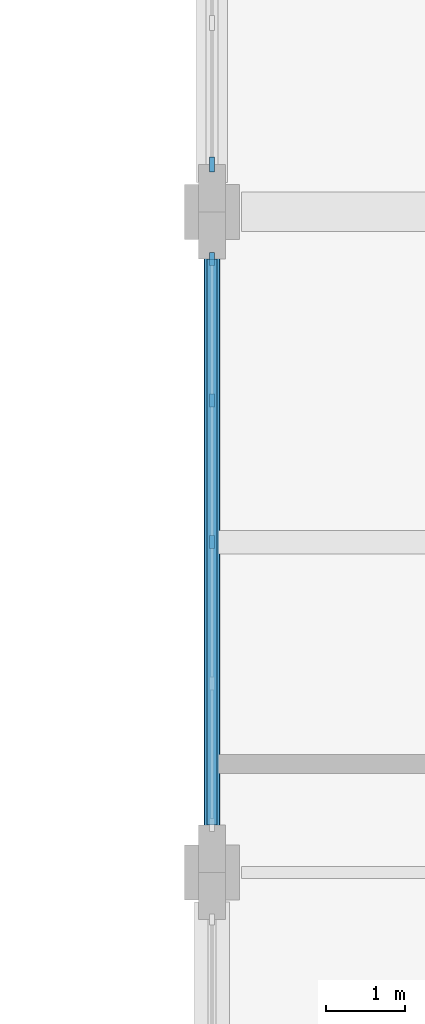
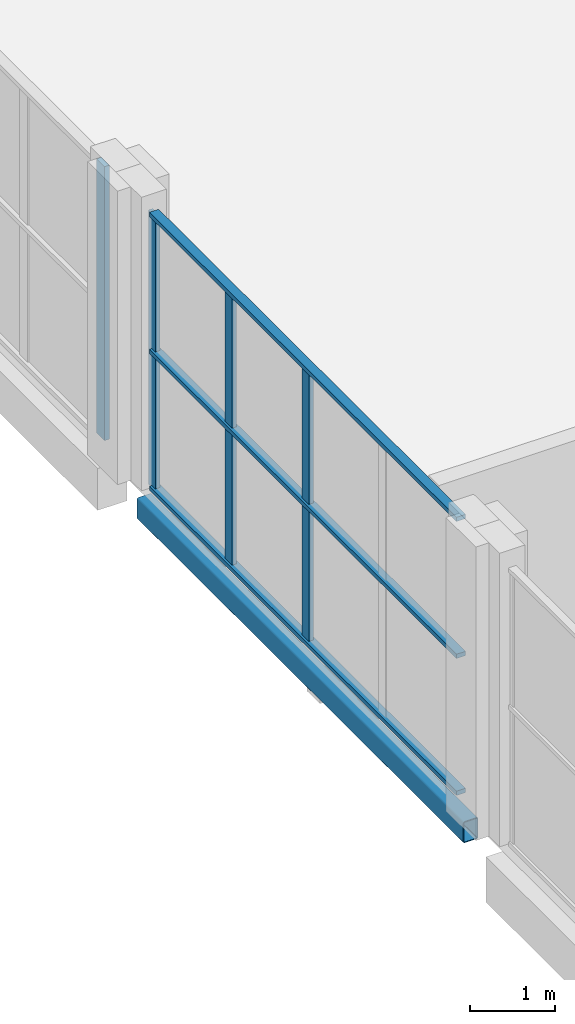
# One storey, part 26 of 59: 7 members, 1 beam, 2 elements without a shape of their own.
"""IFC4 building model written with IfcOpenShell, lengths in metres."""

from ifc_helpers import new_model, si_unit, derived_unit, direction, frame, origin, origin_2d, place, context, subcontext, project, spatial, rectangle, hollow_rectangle, extrude, material, material_profile, profile_set, type_object, element, aggregate, save


model = new_model("IFC4")

# Units and contexts
model_context = context("Model", 3, precision=1e-05, world=origin(), true_north=direction((0.0, 1.0)))
body_context = subcontext(model_context, "Body", "Model", "MODEL_VIEW")
ifc_project = project(units=[si_unit("LENGTHUNIT", "METRE"), si_unit("AREAUNIT", "SQUARE_METRE"), si_unit("VOLUMEUNIT", "CUBIC_METRE"), si_unit("PLANEANGLEUNIT", "RADIAN"), si_unit("MASSUNIT", "GRAM", prefix="KILO"), derived_unit("THERMALTRANSMITTANCEUNIT", [(si_unit("POWERUNIT", "WATT"), 1), (si_unit("LENGTHUNIT", "METRE"), -2), (si_unit("THERMODYNAMICTEMPERATUREUNIT", "KELVIN"), -1)])], contexts=[model_context])

# Site, building, storey
site_placement = place(None, origin())
site = spatial("IfcSite", under=ifc_project, at=site_placement, CompositionType="ELEMENT")
building_placement = place(site_placement, origin())
building = spatial("IfcBuilding", under=site, at=building_placement, Name="Barrovel Congress Hotel", CompositionType="ELEMENT")
storey_placement = place(building_placement, frame((0.0, 0.0, 9.89990234375)))
storey = spatial("IfcBuildingStorey", under=building, at=storey_placement, Name="L02", CompositionType="ELEMENT", Elevation=9.89990234375)

# Curtain wall, members
ifc_material_1 = material(Name="Anodised Aluminium Alloy 6063-T6", Category="aluminium")
curtain_wall_type = type_object("IfcCurtainWallType", Name="CW-ST-7200x3600", PredefinedType="USERDEFINED", material=ifc_material_1)
curtain_wall_1_placement = place(storey_placement, origin())
curtain_wall_1 = element("IfcCurtainWall", 1, at=curtain_wall_1_placement, inside=storey, type_object=curtain_wall_type, Name="CW:L02:CE:54.6", ObjectType="STICK CURTAIN WALL", PredefinedType="USERDEFINED")
ifc_material_profile_1 = material_profile(ifc_material_1, rectangle(XDim=0.06005859375, YDim=0.1650390625, at=origin_2d()), Name="AL-M60x165")
ifc_profile_set_1 = profile_set([ifc_material_profile_1], Name="Anodised Aluminium Alloy 6063-T6")
member_type_1 = type_object("IfcMemberType", Name="CWM-AL-M60x165", PredefinedType="MULLION", material=ifc_profile_set_1)
member_1_placement = place(storey_placement, frame((126.0, 62.39990234375, 0.0), z_axis=(0.0, 0.0, 1.0), x_axis=(1.0, 0.0, 0.0)))
member_1 = element("IfcMember", 2, at=member_1_placement, type_object=member_type_1, Name="CW:L02:CE:54.6:M0", PredefinedType="MULLION", context=body_context, shape_type="SweptSolid", body=[
    extrude(rectangle(XDim=0.06005859375, YDim=0.1650390625, at=origin_2d()), origin(), (0.0, 0.0, 1.0), 3.920166015625),
])
member_2_placement = place(storey_placement, frame((126.0, 60.60009765625, 0.0), z_axis=(0.0, 0.0, 1.0), x_axis=(1.0, 0.0, 0.0)))
member_2 = element("IfcMember", 3, at=member_2_placement, type_object=member_type_1, Name="CW:L02:CE:54.6:M1", PredefinedType="MULLION", context=body_context, shape_type="SweptSolid", body=[
    extrude(rectangle(XDim=0.06005859375, YDim=0.1650390625, at=origin_2d()), origin(), (0.0, 0.0, 1.0), 3.920166015625),
])
member_3_placement = place(storey_placement, frame((126.0, 58.800048828125, 0.0), z_axis=(0.0, 0.0, 1.0), x_axis=(1.0, 0.0, 0.0)))
member_3 = element("IfcMember", 4, at=member_3_placement, type_object=member_type_1, Name="CW:L02:CE:54.6:M2", PredefinedType="MULLION", context=body_context, shape_type="SweptSolid", body=[
    extrude(rectangle(XDim=0.06005859375, YDim=0.1650390625, at=origin_2d()), origin(), (0.0, 0.0, 1.0), 3.920166015625),
])

# Curtain wall, member
curtain_wall_2_placement = place(storey_placement, origin())
curtain_wall_2 = element("IfcCurtainWall", 5, at=curtain_wall_2_placement, inside=storey, type_object=curtain_wall_type, Name="CW:L02:CE:63.0", ObjectType="STICK CURTAIN WALL", PredefinedType="USERDEFINED")
ifc_material_profile_2 = material_profile(ifc_material_1, rectangle(XDim=0.06494140625, YDim=0.18994140625, at=origin_2d()), Name="AL-M65x190")
ifc_profile_set_2 = profile_set([ifc_material_profile_2], Name="Anodised Aluminium Alloy 6063-T6")
member_type_2 = type_object("IfcMemberType", Name="CWM-AL-M65x190", PredefinedType="MULLION", material=ifc_profile_set_2)
member_4_placement = place(storey_placement, frame((126.0, 63.60009765625, 0.0), z_axis=(0.0, 0.0, 1.0), x_axis=(1.0, 0.0, 0.0)))
member_4 = element("IfcMember", 6, at=member_4_placement, type_object=member_type_2, Name="CW:L02:CE:63.0:M4", PredefinedType="MULLION", context=body_context, shape_type="SweptSolid", body=[
    extrude(rectangle(XDim=0.06494140625, YDim=0.18994140625, at=origin_2d()), origin(), (0.0, 0.0, 1.0), 3.920166015625),
])
aggregate(curtain_wall_2, [member_4])

# Member
ifc_material_profile_3 = material_profile(ifc_material_1, rectangle(XDim=0.125, YDim=0.06005859375, at=origin_2d()), Name="AL-T60x125")
ifc_profile_set_3 = profile_set([ifc_material_profile_3], Name="Anodised Aluminium Alloy 6063-T6")
member_type_3 = type_object("IfcMemberType", Name="CWT-AL-T60x125", PredefinedType="USERDEFINED", material=ifc_profile_set_3)
member_5_placement = place(storey_placement, frame((126.0, 62.39990234375, 0.0), z_axis=(0.0, -1.0, 0.0), x_axis=(1.0, 0.0, 0.0)))
member_5 = element("IfcMember", 7, at=member_5_placement, type_object=member_type_3, Name="CW:L02:CE:54.6:T0", ObjectType="TRANSOM", PredefinedType="USERDEFINED", context=body_context, shape_type="SweptSolid", body=[
    extrude(rectangle(XDim=0.125, YDim=0.06005859375, at=origin_2d()), origin(), (0.0, 0.0, 1.0), 7.199951171875),
])

member_6_placement = place(storey_placement, frame((126.0, 62.39990234375, 1.960205078125), z_axis=(0.0, -1.0, 0.0), x_axis=(1.0, 0.0, 0.0)))
member_6 = element("IfcMember", 8, at=member_6_placement, type_object=member_type_3, Name="CW:L02:CE:54.6:T1", ObjectType="TRANSOM", PredefinedType="USERDEFINED", context=body_context, shape_type="SweptSolid", body=[
    extrude(rectangle(XDim=0.125, YDim=0.06005859375, at=origin_2d()), origin(), (0.0, 0.0, 1.0), 7.199951171875),
])

member_7_placement = place(storey_placement, frame((126.0, 62.39990234375, 3.920166015625), z_axis=(0.0, -1.0, 0.0), x_axis=(1.0, 0.0, 0.0)))
member_7 = element("IfcMember", 9, at=member_7_placement, type_object=member_type_3, Name="CW:L02:CE:54.6:T2", ObjectType="TRANSOM", PredefinedType="USERDEFINED", context=body_context, shape_type="SweptSolid", body=[
    extrude(rectangle(XDim=0.125, YDim=0.06005859375, at=origin_2d()), origin(), (0.0, 0.0, 1.0), 7.199951171875),
])

aggregate(curtain_wall_1, [member_1, member_2, member_3, member_5, member_6, member_7])

# Beam
ifc_material_2 = material(Name="Steel ASTM A500 Grade C", Category="steel")
ifc_material_profile_4 = material_profile(ifc_material_2, hollow_rectangle(XDim=0.203125, YDim=0.3046875, WallThickness=0.01171875, InnerFilletRadius=0.01171875, OuterFilletRadius=0.023681640625, at=origin_2d()), Name="HSS305x203x12.7")
ifc_profile_set_4 = profile_set([ifc_material_profile_4], Name="Steel ASTM A500 Grade C")
beam_type = type_object("IfcBeamType", Name="SBM-HSS305x203x12.7", PredefinedType="SPANDREL", material=ifc_profile_set_4)
beam_placement = place(storey_placement, frame((126.0, 54.97509765625, -0.412353515625), z_axis=(0.0, 1.0, 0.0), x_axis=(-1.0, 0.0, 0.0)))
element("IfcBeam", 10, at=beam_placement, inside=storey, type_object=beam_type, Name="BMY:L02:126.0:54.6-63.0", PredefinedType="SPANDREL", context=body_context, shape_type="SweptSolid", body=[
    extrude(hollow_rectangle(XDim=0.203125, YDim=0.3046875, WallThickness=0.01171875, InnerFilletRadius=0.01171875, OuterFilletRadius=0.023681640625, at=origin_2d()), origin(), (0.0, 0.0, 1.0), 7.64990234375),
])

save(model, "model.ifc")
